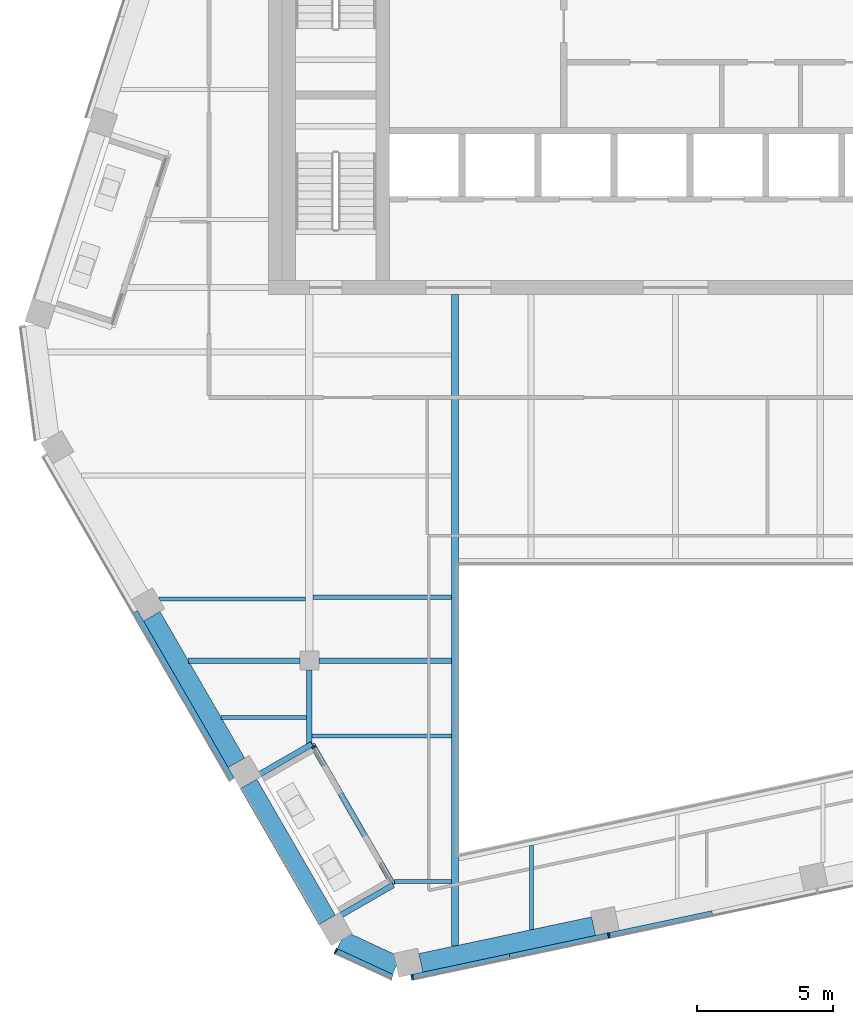
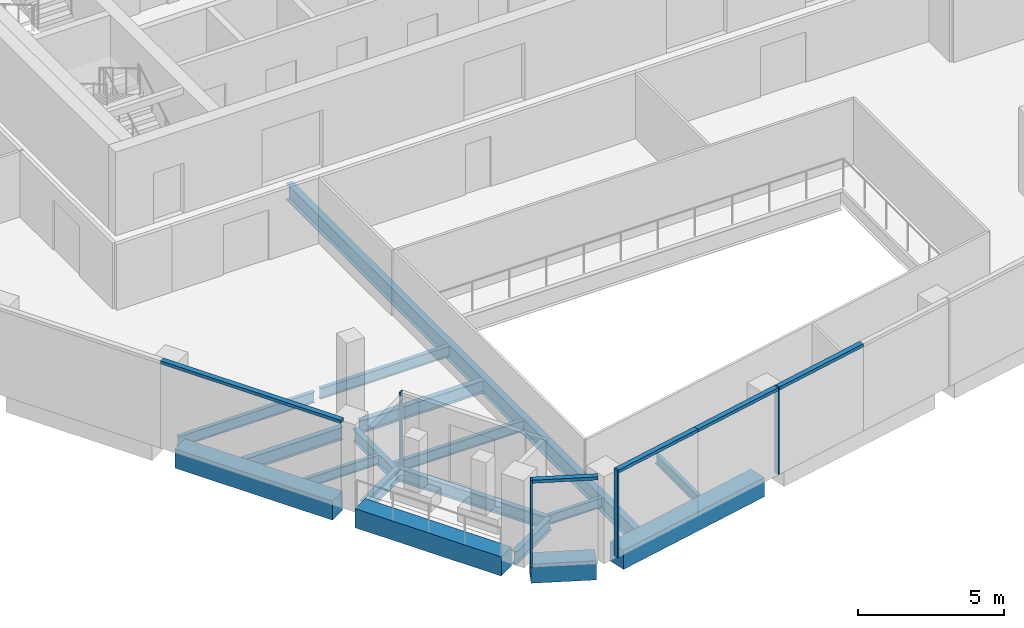
# One storey, part 2 of 20: 17 beams, 9 members, 4 elements without a shape of their own.
"""IFC4 building model written with IfcOpenShell, lengths in metres."""

from ifc_helpers import new_model, si_unit, direction, frame, origin, origin_2d, place, context, subcontext, project, spatial, rectangle, i_section, extrude, material, layer, layer_set, material_profile, profile_set, type_object, element, aggregate, save


model = new_model("IFC4")

# Units and contexts
model_context = context("Model", 3, precision=1e-05, world=origin(), true_north=direction((0.0, 1.0)))
body_context = subcontext(model_context, "Body", "Model", "MODEL_VIEW")
ifc_project = project(units=[si_unit("LENGTHUNIT", "METRE"), si_unit("AREAUNIT", "SQUARE_METRE"), si_unit("VOLUMEUNIT", "CUBIC_METRE"), si_unit("PLANEANGLEUNIT", "RADIAN"), si_unit("MASSUNIT", "GRAM", prefix="KILO")], contexts=[model_context])

# Site, building, storey
site_placement = place(None, origin())
site = spatial("IfcSite", under=ifc_project, at=site_placement, CompositionType="ELEMENT")
building_placement = place(site_placement, origin())
building = spatial("IfcBuilding", under=site, at=building_placement, Name="Isthmus Gate Tower", CompositionType="ELEMENT")
storey_placement = place(building_placement, frame((0.0, 0.0, 279.199951171875)))
storey = spatial("IfcBuildingStorey", under=building, at=storey_placement, Name="L71", CompositionType="ELEMENT", Elevation=279.199951171875)

# Curtain wall, member
ifc_material_1 = material(Name="Aluminium, pale champagne anodised", Category="aluminium")
ifc_layer_1 = layer(ifc_material_1, 0.199951171875)
ifc_layer_set_1 = layer_set([ifc_layer_1], Name="CW-1 UNITISED CURTAIN WALL 200 DEEP")
curtain_wall_type_1 = type_object("IfcCurtainWallType", Name="CW-1 UNITISED CURTAIN WALL 200 DEEP", PredefinedType="NOTDEFINED", material=ifc_layer_set_1)
curtain_wall_1_placement = place(storey_placement, origin())
curtain_wall_1 = element("IfcCurtainWall", 1, at=curtain_wall_1_placement, inside=storey, type_object=curtain_wall_type_1, Name="CW-1 SW-S L71", PredefinedType="NOTDEFINED")
ifc_material_2 = material(Name="Aluminium, pale champagne anodised", Category="aluminium")
ifc_material_profile_1 = material_profile(ifc_material_2, rectangle(XDim=0.06005859375, YDim=0.199951171875, at=origin_2d()), Name="60x200")
ifc_profile_set_1 = profile_set([ifc_material_profile_1], Name="Aluminium, pale champagne anodised")
member_type_1 = type_object("IfcMemberType", Name="CW-1 MULLION 60 X 200", PredefinedType="MULLION", material=ifc_profile_set_1)
member_1_placement = place(storey_placement, frame((-12.519775390625, -24.201171875, 0.0), z_axis=(0.0, 0.0, 1.0), x_axis=(0.907256261367, -0.420578264073, 0.0)))
member_1 = element("IfcMember", 2, at=member_1_placement, type_object=member_type_1, Name="CW-1 mullion", PredefinedType="MULLION", context=body_context, shape_type="SweptSolid", body=[
    extrude(rectangle(XDim=0.06005859375, YDim=0.199951171875, at=origin_2d()), origin(), (0.0, 0.0, 1.0), 3.650146484375),
])

# Curtain wall, members
curtain_wall_2_placement = place(storey_placement, origin())
curtain_wall_2 = element("IfcCurtainWall", 3, at=curtain_wall_2_placement, inside=storey, type_object=curtain_wall_type_1, Name="CW-1 S L71", PredefinedType="NOTDEFINED")
member_2_placement = place(storey_placement, frame((-9.70703125, -25.16552734375, 0.0), z_axis=(0.0, 0.0, 1.0), x_axis=(0.978147600734, 0.207911690818, 0.0)))
member_2 = element("IfcMember", 4, at=member_2_placement, type_object=member_type_1, Name="CW-1 mullion", PredefinedType="MULLION", context=body_context, shape_type="SweptSolid", body=[
    extrude(rectangle(XDim=0.06005859375, YDim=0.199951171875, at=origin_2d()), origin(), (0.0, 0.0, 1.0), 3.650146484375),
])
member_3_placement = place(storey_placement, frame((-2.462158203125, -23.62548828125, 0.0), z_axis=(0.0, 0.0, 1.0), x_axis=(0.978147600734, 0.207911690818, 0.0)))
member_3 = element("IfcMember", 5, at=member_3_placement, type_object=member_type_1, Name="CW-1 mullion", PredefinedType="MULLION", context=body_context, shape_type="SweptSolid", body=[
    extrude(rectangle(XDim=0.06005859375, YDim=0.199951171875, at=origin_2d()), origin(), (0.0, 0.0, 1.0), 3.650146484375),
])

# Curtain wall, member
curtain_wall_3_placement = place(storey_placement, origin())
curtain_wall_3 = element("IfcCurtainWall", 6, at=curtain_wall_3_placement, inside=storey, type_object=curtain_wall_type_1, Name="CW-1 SW L71", PredefinedType="NOTDEFINED")
ifc_material_3 = material(Name="Aluminium, pale champagne anodised", Category="aluminium")
ifc_material_profile_2 = material_profile(ifc_material_3, rectangle(XDim=0.199951171875, YDim=0.1298828125, at=origin_2d()), Name="200x130")
ifc_profile_set_2 = profile_set([ifc_material_profile_2], Name="Aluminium, pale champagne anodised")
member_type_2 = type_object("IfcMemberType", Name="CW-1 TRANSOM 200 X 130", PredefinedType="USERDEFINED", material=ifc_profile_set_2)
member_4_placement = place(storey_placement, frame((-19.917724609375, -11.70166015625, 3.5849609375), z_axis=(0.500010763282, -0.866019189511, 0.0), x_axis=(0.866019189511, 0.500010763282, 0.0)))
member_4 = element("IfcMember", 7, at=member_4_placement, type_object=member_type_2, Name="CW-1 transom", ObjectType="TRANSOM", PredefinedType="USERDEFINED", context=body_context, shape_type="SweptSolid", body=[
    extrude(rectangle(XDim=0.199951171875, YDim=0.1298828125, at=origin_2d()), origin(), (0.0, 0.0, 1.0), 7.134521484375),
])
aggregate(curtain_wall_3, [member_4])

# Member
member_5_placement = place(storey_placement, frame((-12.49267578125, -24.213623046875, 3.5849609375), z_axis=(0.907246225564, -0.420599912268, 0.0), x_axis=(0.420599912268, 0.907246225564, 0.0)))
member_5 = element("IfcMember", 8, at=member_5_placement, type_object=member_type_2, Name="CW-1 transom", ObjectType="TRANSOM", PredefinedType="USERDEFINED", context=body_context, shape_type="SweptSolid", body=[
    extrude(rectangle(XDim=0.199951171875, YDim=0.1298828125, at=origin_2d()), origin(), (0.0, 0.0, 1.0), 2.258544921875),
])

aggregate(curtain_wall_1, [member_1, member_5])

member_6_placement = place(storey_placement, frame((-9.677734375, -25.1591796875, 3.5849609375), z_axis=(0.9781569775, 0.207867571707, 0.0), x_axis=(-0.207867571707, 0.9781569775, 0.0)))
member_6 = element("IfcMember", 9, at=member_6_placement, type_object=member_type_2, Name="CW-1 transom", ObjectType="TRANSOM", PredefinedType="USERDEFINED", context=body_context, shape_type="SweptSolid", body=[
    extrude(rectangle(XDim=0.199951171875, YDim=0.1298828125, at=origin_2d()), origin(), (0.0, 0.0, 1.0), 3.643310546875),
])

member_7_placement = place(storey_placement, frame((-6.114013671875, -24.40185546875, 3.5849609375), z_axis=(0.978146451283, 0.207917098487, 0.0), x_axis=(-0.207917098487, 0.978146451283, 0.0)))
member_7 = element("IfcMember", 10, at=member_7_placement, type_object=member_type_2, Name="CW-1 transom", ObjectType="TRANSOM", PredefinedType="USERDEFINED", context=body_context, shape_type="SweptSolid", body=[
    extrude(rectangle(XDim=0.199951171875, YDim=0.1298828125, at=origin_2d()), origin(), (0.0, 0.0, 1.0), 3.70361328125),
])

member_8_placement = place(storey_placement, frame((-2.432861328125, -23.619384765625, 3.5849609375), z_axis=(0.978140080964, 0.207947065409, 0.0), x_axis=(-0.207947065409, 0.978140080964, 0.0)))
member_8 = element("IfcMember", 11, at=member_8_placement, type_object=member_type_2, Name="CW-1 transom", ObjectType="TRANSOM", PredefinedType="USERDEFINED", context=body_context, shape_type="SweptSolid", body=[
    extrude(rectangle(XDim=0.199951171875, YDim=0.1298828125, at=origin_2d()), origin(), (0.0, 0.0, 1.0), 3.868408203125),
])

aggregate(curtain_wall_2, [member_2, member_6, member_7, member_3, member_8])

# Curtain wall, member
ifc_material_4 = material(Name="Aluminium, pale champagne anodised", Category="aluminium")
ifc_layer_2 = layer(ifc_material_4, 0.14990234375)
ifc_layer_set_2 = layer_set([ifc_layer_2], Name="CW-6 LOGGIA BACK WALL GLAZING 150 DEEP")
curtain_wall_type_2 = type_object("IfcCurtainWallType", Name="CW-6 LOGGIA BACK WALL GLAZING 150 DEEP", PredefinedType="NOTDEFINED", material=ifc_layer_set_2)
curtain_wall_4_placement = place(storey_placement, origin())
curtain_wall_4 = element("IfcCurtainWall", 12, at=curtain_wall_4_placement, inside=storey, type_object=curtain_wall_type_2, Name="CW-6 SW L71", PredefinedType="NOTDEFINED")
ifc_material_5 = material(Name="Aluminium, pale champagne anodised", Category="aluminium")
ifc_material_profile_3 = material_profile(ifc_material_5, rectangle(XDim=0.06005859375, YDim=0.14990234375, at=origin_2d()), Name="60x150")
ifc_profile_set_3 = profile_set([ifc_material_profile_3], Name="Aluminium, pale champagne anodised")
member_type_3 = type_object("IfcMemberType", Name="CW-6 MULLION 60 X 150", PredefinedType="MULLION", material=ifc_profile_set_3)
member_9_placement = place(storey_placement, frame((-13.339111328125, -16.696044921875, 0.0), z_axis=(0.0, 0.0, 1.0), x_axis=(0.5, -0.866025403784, 0.0)))
member_9 = element("IfcMember", 13, at=member_9_placement, type_object=member_type_3, Name="CW-6 mullion", PredefinedType="MULLION", context=body_context, shape_type="SweptSolid", body=[
    extrude(rectangle(XDim=0.06005859375, YDim=0.14990234375, at=origin_2d()), origin(), (0.0, 0.0, 1.0), 3.050048828125),
])
aggregate(curtain_wall_4, [member_9])

# Beams
ifc_material_6 = material(Name="Concrete f'c 50 MPa", Category="concrete")
ifc_material_profile_4 = material_profile(ifc_material_6, rectangle(XDim=0.699951171875, YDim=0.800048828125, at=origin_2d()), Name="RC 700X800")
ifc_profile_set_4 = profile_set([ifc_material_profile_4], Name="Concrete f'c 50 MPa")
beam_type_1 = type_object("IfcBeamType", Name="RC SPANDREL 700 X 800", PredefinedType="SPANDREL", material=ifc_profile_set_4)
beam_1_placement = place(storey_placement, frame((-3.025146484375, -23.28515625, -0.39990234375), z_axis=(-0.97815026796, -0.207899142108, 0.0), x_axis=(0.207899142108, -0.97815026796, 0.0)))
element("IfcBeam", 14, at=beam_1_placement, inside=storey, type_object=beam_type_1, Name="str-spandrel-L71-11", PredefinedType="SPANDREL", context=body_context, shape_type="SweptSolid", body=[
    extrude(rectangle(XDim=0.699951171875, YDim=0.800048828125, at=origin_2d()), origin(), (0.0, 0.0, 1.0), 6.5068359375),
])
beam_2_placement = place(storey_placement, frame((-10.288330078125, -24.739501953125, -0.39990234375), z_axis=(-0.907254968276, 0.42058105347, 0.0), x_axis=(-0.42058105347, -0.907254968276, 0.0)))
element("IfcBeam", 15, at=beam_2_placement, inside=storey, type_object=beam_type_1, Name="str-spandrel-L71-12", PredefinedType="SPANDREL", context=body_context, shape_type="SweptSolid", body=[
    extrude(rectangle(XDim=0.699951171875, YDim=0.800048828125, at=origin_2d()), origin(), (0.0, 0.0, 1.0), 2.245849609375),
])
beam_3_placement = place(storey_placement, frame((-12.843505859375, -23.0546875, -0.39990234375), z_axis=(-0.499961143711, 0.866047836311, 0.0), x_axis=(-0.866047836311, -0.499961143711, 0.0)))
element("IfcBeam", 16, at=beam_3_placement, inside=storey, type_object=beam_type_1, Name="str-spandrel-L71-13", PredefinedType="SPANDREL", context=body_context, shape_type="SweptSolid", body=[
    extrude(rectangle(XDim=0.699951171875, YDim=0.800048828125, at=origin_2d()), origin(), (0.0, 0.0, 1.0), 5.78466796875),
])
beam_4_placement = place(storey_placement, frame((-16.185791015625, -17.265625, -0.39990234375), z_axis=(-0.499997027648, 0.866027119866, 0.0), x_axis=(-0.866027119866, -0.499997027648, 0.0)))
element("IfcBeam", 17, at=beam_4_placement, inside=storey, type_object=beam_type_1, Name="str-spandrel-L71-14", PredefinedType="SPANDREL", context=body_context, shape_type="SweptSolid", body=[
    extrude(rectangle(XDim=0.699951171875, YDim=0.800048828125, at=origin_2d()), origin(), (0.0, 0.0, 1.0), 6.234375),
])
ifc_material_7 = material(Name="Structural steel ASTM A992 Gr 50", Category="steel")
ifc_material_profile_5 = material_profile(ifc_material_7, i_section(OverallWidth=0.1396484375, OverallDepth=0.4033203125, WebThickness=0.00634765625, FlangeThickness=0.010986328125, at=origin_2d()), Name="W16X31")
ifc_profile_set_5 = profile_set([ifc_material_profile_5], Name="Structural steel ASTM A992 Gr 50")
beam_type_2 = type_object("IfcBeamType", Name="STEEL FLOOR BEAM W16X31", PredefinedType="JOIST", material=ifc_profile_set_5)
beam_5_placement = place(storey_placement, frame((-16.7451171875, -15.5966796875, -0.3515625), z_axis=(1.0, 0.0, 0.0), x_axis=(0.0, 1.0, 0.0)))
element("IfcBeam", 18, at=beam_5_placement, inside=storey, type_object=beam_type_2, Name="str-beam-L71-03-00", PredefinedType="JOIST", context=body_context, shape_type="SweptSolid", body=[
    extrude(i_section(OverallWidth=0.1396484375, OverallDepth=0.4033203125, WebThickness=0.00634765625, FlangeThickness=0.010986328125, at=origin_2d()), origin(), (0.0, 0.0, 1.0), 3.140380859375),
])
beam_6_placement = place(storey_placement, frame((-10.361083984375, -21.635009765625, -0.3515625), z_axis=(1.0, 0.0, 0.0), x_axis=(0.0, 1.0, 0.0)))
element("IfcBeam", 19, at=beam_6_placement, inside=storey, type_object=beam_type_2, Name="str-beam-L71-06-00", PredefinedType="JOIST", context=body_context, shape_type="SweptSolid", body=[
    extrude(i_section(OverallWidth=0.1396484375, OverallDepth=0.4033203125, WebThickness=0.00634765625, FlangeThickness=0.010986328125, at=origin_2d()), origin(), (0.0, 0.0, 1.0), 2.107177734375),
])
beam_7_placement = place(storey_placement, frame((-5.314208984375, -23.4140625, -0.3515625), z_axis=(0.0, 1.0, 0.0), x_axis=(-1.0, 0.0, 0.0)))
element("IfcBeam", 20, at=beam_7_placement, inside=storey, type_object=beam_type_2, Name="str-beam-L71-09-00", PredefinedType="JOIST", context=body_context, shape_type="SweptSolid", body=[
    extrude(i_section(OverallWidth=0.1396484375, OverallDepth=0.4033203125, WebThickness=0.00634765625, FlangeThickness=0.010986328125, at=origin_2d()), origin(), (0.0, 0.0, 1.0), 3.10107421875),
])
ifc_material_8 = material(Name="Structural steel ASTM A992 Gr 50", Category="steel")
ifc_material_profile_6 = material_profile(ifc_material_8, i_section(OverallWidth=0.15234375, OverallDepth=0.45068359375, WebThickness=0.0078125, FlangeThickness=0.010986328125, at=origin_2d()), Name="W18X35")
ifc_profile_set_6 = profile_set([ifc_material_profile_6], Name="Structural steel ASTM A992 Gr 50")
beam_type_3 = type_object("IfcBeamType", Name="STEEL FLOOR BEAM W18X35", PredefinedType="JOIST", material=ifc_profile_set_6)
beam_8_placement = place(storey_placement, frame((-19.03759765625, -11.225830078125, -0.375244140625), z_axis=(1.0, 0.0, 0.0), x_axis=(0.0, 1.0, 0.0)))
element("IfcBeam", 21, at=beam_8_placement, inside=storey, type_object=beam_type_3, Name="str-beam-L71-01-00", PredefinedType="JOIST", context=body_context, shape_type="SweptSolid", body=[
    extrude(i_section(OverallWidth=0.15234375, OverallDepth=0.45068359375, WebThickness=0.0078125, FlangeThickness=0.010986328125, at=origin_2d()), origin(), (0.0, 0.0, 1.0), 5.40576171875),
])
beam_9_placement = place(storey_placement, frame((-13.3681640625, -11.16259765625, -0.375244140625), z_axis=(1.0, 0.0, 0.0), x_axis=(0.0, 1.0, 0.0)))
element("IfcBeam", 22, at=beam_9_placement, inside=storey, type_object=beam_type_3, Name="str-beam-L71-05-00", PredefinedType="JOIST", context=body_context, shape_type="SweptSolid", body=[
    extrude(i_section(OverallWidth=0.15234375, OverallDepth=0.45068359375, WebThickness=0.0078125, FlangeThickness=0.010986328125, at=origin_2d()), origin(), (0.0, 0.0, 1.0), 5.1142578125),
])
beam_10_placement = place(storey_placement, frame((-13.395263671875, -16.281494140625, -0.375244140625), z_axis=(1.0, 0.0, 0.0), x_axis=(0.0, 1.0, 0.0)))
element("IfcBeam", 23, at=beam_10_placement, inside=storey, type_object=beam_type_3, Name="str-beam-L71-06-01", PredefinedType="JOIST", context=body_context, shape_type="SweptSolid", body=[
    extrude(i_section(OverallWidth=0.15234375, OverallDepth=0.45068359375, WebThickness=0.0078125, FlangeThickness=0.010986328125, at=origin_2d()), origin(), (0.0, 0.0, 1.0), 5.141357421875),
])
ifc_material_9 = material(Name="Structural steel ASTM A992 Gr 50", Category="steel")
ifc_material_profile_7 = material_profile(ifc_material_9, i_section(OverallWidth=0.20947265625, OverallDepth=0.533447265625, WebThickness=0.009521484375, FlangeThickness=0.015869140625, at=origin_2d()), Name="W21X62")
ifc_profile_set_7 = profile_set([ifc_material_profile_7], Name="Structural steel ASTM A992 Gr 50")
beam_type_4 = type_object("IfcBeamType", Name="STEEL GIRDER W21X62", PredefinedType="BEAM", material=ifc_profile_set_7)
beam_11_placement = place(storey_placement, frame((-17.95556640625, -13.5, -0.416748046875), z_axis=(1.0, 0.0, 0.0), x_axis=(0.0, 1.0, 0.0)))
element("IfcBeam", 24, at=beam_11_placement, inside=storey, type_object=beam_type_4, Name="str-girder-L71-01", PredefinedType="BEAM", context=body_context, shape_type="SweptSolid", body=[
    extrude(i_section(OverallWidth=0.20947265625, OverallDepth=0.533447265625, WebThickness=0.009521484375, FlangeThickness=0.015869140625, at=origin_2d()), origin(), (0.0, 0.0, 1.0), 4.10546875),
])
beam_12_placement = place(storey_placement, frame((-13.14990234375, -13.5, -0.416748046875), z_axis=(1.0, 0.0, 0.0), x_axis=(0.0, 1.0, 0.0)))
element("IfcBeam", 25, at=beam_12_placement, inside=storey, type_object=beam_type_4, Name="str-girder-L71-02", PredefinedType="BEAM", context=body_context, shape_type="SweptSolid", body=[
    extrude(i_section(OverallWidth=0.20947265625, OverallDepth=0.533447265625, WebThickness=0.009521484375, FlangeThickness=0.015869140625, at=origin_2d()), origin(), (0.0, 0.0, 1.0), 4.89599609375),
])
beam_13_placement = place(storey_placement, frame((-13.5, -16.754150390625, -0.416748046875), z_axis=(0.0, 1.0, 0.0), x_axis=(-1.0, 0.0, 0.0)))
element("IfcBeam", 26, at=beam_13_placement, inside=storey, type_object=beam_type_4, Name="str-girder-L71-05", PredefinedType="BEAM", context=body_context, shape_type="SweptSolid", body=[
    extrude(i_section(OverallWidth=0.20947265625, OverallDepth=0.533447265625, WebThickness=0.009521484375, FlangeThickness=0.015869140625, at=origin_2d()), origin(), (0.0, 0.0, 1.0), 2.904052734375),
])
ifc_material_10 = material(Name="Structural steel ASTM A992 Gr 50", Category="steel")
ifc_material_profile_8 = material_profile(ifc_material_10, i_section(OverallWidth=0.20947265625, OverallDepth=0.533447265625, WebThickness=0.009521484375, FlangeThickness=0.015869140625, at=origin_2d()), Name="W21X62")
ifc_profile_set_8 = profile_set([ifc_material_profile_8], Name="Structural steel ASTM A992 Gr 50")
beam_type_5 = type_object("IfcBeamType", Name="STEEL TRIMMER W21X62", PredefinedType="BEAM", material=ifc_profile_set_8)
beam_14_placement = place(storey_placement, frame((-13.40234375, -16.576904296875, -0.416748046875), z_axis=(0.500011564754, -0.866018726768, 0.0), x_axis=(0.866018726768, 0.500011564754, 0.0)))
element("IfcBeam", 27, at=beam_14_placement, inside=storey, type_object=beam_type_5, Name="str-loggiatrim-L71-03-B", PredefinedType="BEAM", context=body_context, shape_type="SweptSolid", body=[
    extrude(i_section(OverallWidth=0.20947265625, OverallDepth=0.533447265625, WebThickness=0.009521484375, FlangeThickness=0.015869140625, at=origin_2d()), origin(), (0.0, 0.0, 1.0), 5.993896484375),
])
beam_15_placement = place(storey_placement, frame((-15.48486328125, -17.779296875, -0.416748046875), z_axis=(0.866016514357, 0.500015396624, 0.0), x_axis=(-0.500015396624, 0.866016514357, 0.0)))
element("IfcBeam", 28, at=beam_15_placement, inside=storey, type_object=beam_type_5, Name="str-loggiatrim-L71-03-A", PredefinedType="BEAM", context=body_context, shape_type="SweptSolid", body=[
    extrude(i_section(OverallWidth=0.20947265625, OverallDepth=0.533447265625, WebThickness=0.009521484375, FlangeThickness=0.015869140625, at=origin_2d()), origin(), (0.0, 0.0, 1.0), 2.40478515625),
])
beam_16_placement = place(storey_placement, frame((-12.488037109375, -22.97021484375, -0.416748046875), z_axis=(0.866041894065, 0.499971436909, 0.0), x_axis=(-0.499971436909, 0.866041894065, 0.0)))
element("IfcBeam", 29, at=beam_16_placement, inside=storey, type_object=beam_type_5, Name="str-loggiatrim-L71-03-C", PredefinedType="BEAM", context=body_context, shape_type="SweptSolid", body=[
    extrude(i_section(OverallWidth=0.20947265625, OverallDepth=0.533447265625, WebThickness=0.009521484375, FlangeThickness=0.015869140625, at=origin_2d()), origin(), (0.0, 0.0, 1.0), 2.405029296875),
])
ifc_material_11 = material(Name="Structural steel ASTM A992 Gr 50", Category="steel")
ifc_material_profile_9 = material_profile(ifc_material_11, i_section(OverallWidth=0.25390625, OverallDepth=0.679443359375, WebThickness=0.010986328125, FlangeThickness=0.015869140625, at=origin_2d()), Name="W27X84")
ifc_profile_set_9 = profile_set([ifc_material_profile_9], Name="Structural steel ASTM A992 Gr 50")
beam_type_6 = type_object("IfcBeamType", Name="STEEL TRIMMER W27X84", PredefinedType="BEAM", material=ifc_profile_set_9)
beam_17_placement = place(storey_placement, frame((-8.126953125, 0.0, -0.48974609375), z_axis=(0.0, -1.0, 0.0), x_axis=(1.0, 0.0, 0.0)))
element("IfcBeam", 30, at=beam_17_placement, inside=storey, type_object=beam_type_6, Name="str-trimmer-L71-02", PredefinedType="BEAM", context=body_context, shape_type="SweptSolid", body=[
    extrude(i_section(OverallWidth=0.25390625, OverallDepth=0.679443359375, WebThickness=0.010986328125, FlangeThickness=0.015869140625, at=origin_2d()), origin(), (0.0, 0.0, 1.0), 24.01171875),
])

save(model, "model.ifc")
